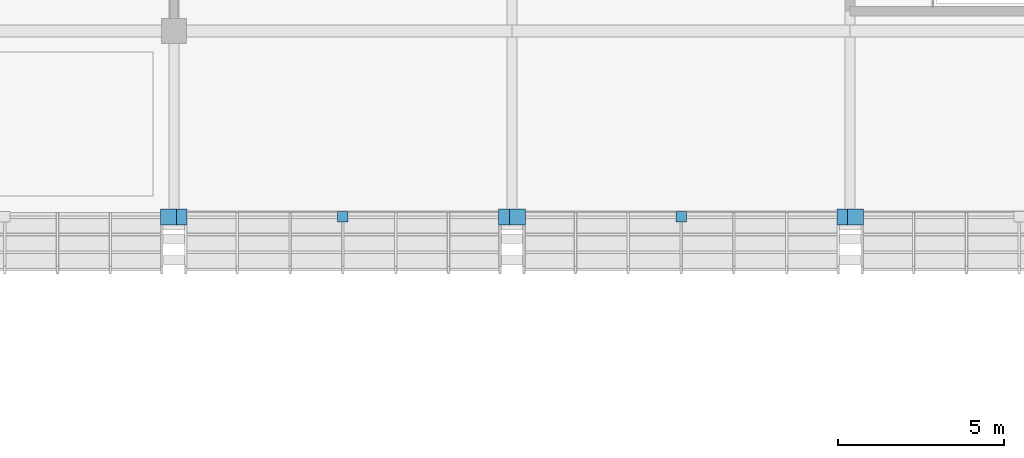
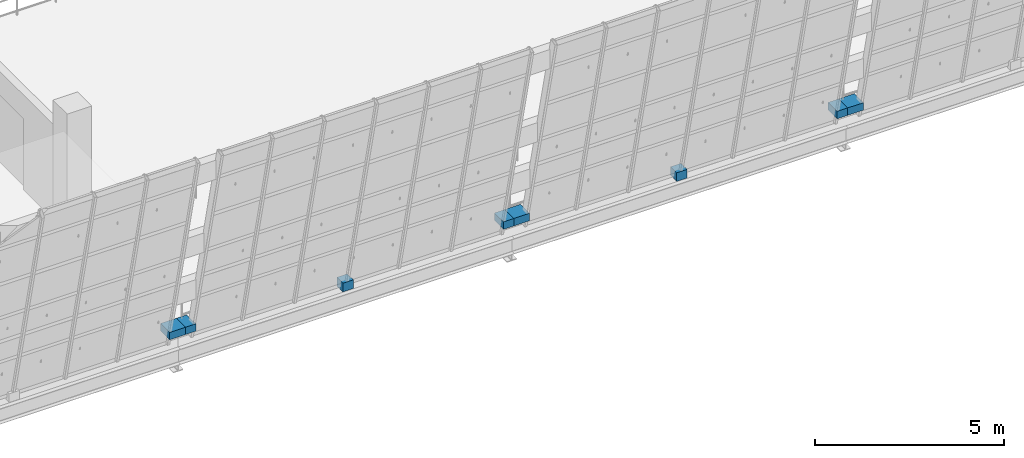
# One storey, part 137 of 157: 8 discrete accessories.
"""IFC4 building model written with IfcOpenShell, lengths in metres."""

from ifc_helpers import new_model, si_unit, direction, frame, origin, origin_2d, place, context, subcontext, project, spatial, rectangle, extrude, material, type_object, element, save


model = new_model("IFC4")

# Units and contexts
model_context = context("Model", 3, precision=1e-05, world=origin(), true_north=direction((0.0, 1.0)))
body_context = subcontext(model_context, "Body", "Model", "MODEL_VIEW")
ifc_project = project(units=[si_unit("LENGTHUNIT", "METRE"), si_unit("AREAUNIT", "SQUARE_METRE"), si_unit("VOLUMEUNIT", "CUBIC_METRE"), si_unit("PLANEANGLEUNIT", "RADIAN"), si_unit("MASSUNIT", "GRAM", prefix="KILO")], contexts=[model_context])

# Site, building, storey
site_placement = place(None, origin())
site = spatial("IfcSite", under=ifc_project, at=site_placement, CompositionType="ELEMENT")
building_placement = place(site_placement, origin())
building = spatial("IfcBuilding", under=site, at=building_placement, Name="Brelvane Convention Centre", CompositionType="ELEMENT")
storey_placement = place(building_placement, frame((0.0, 0.0, 10.800048828125)))
storey = spatial("IfcBuildingStorey", under=building, at=storey_placement, Name="L02", CompositionType="ELEMENT", Elevation=10.800048828125)

# Discrete accessories
ifc_material = material(Name="Steel E350 (350 MPa)", Category="steel")
discrete_accessory_type = type_object("IfcDiscreteAccessoryType", Name="Facade Outrigger Bracket BRK-02", PredefinedType="BRACKET", material=ifc_material)
for number, where, z_axis, x_axis, name in (
    (1, (101.840087890625, 13.60009765625, 0.22998046875), (0.0, 0.0, 1.0), (1.0, 0.0, 0.0), "Curtain Wall Anchor Bracket L02-HULL-S-L02-10-R"),
    (2, (102.159912109375, 13.60009765625, 0.22998046875), (0.0, 0.0, 1.0), (1.0, 0.0, 0.0), "Curtain Wall Anchor Bracket L02-HULL-S-L02-11-L"),
    (3, (112.0400390625, 13.60009765625, 0.22998046875), (0.0, 0.0, 1.0), (1.0, 0.0, 0.0), "Curtain Wall Anchor Bracket L02-HULL-S-L02-11-R"),
):
    element("IfcDiscreteAccessory", number, at=place(storey_placement, frame(where, z_axis=z_axis, x_axis=x_axis)), inside=storey, type_object=discrete_accessory_type, Name=name, PredefinedType="BRACKET", context=body_context, shape_type="SweptSolid", body=[
        extrude(rectangle(XDim=0.47998046875, YDim=0.47998046875, at=origin_2d()), origin(), (0.0, 0.0, 1.0), 0.239990234375),
    ])
discrete_accessory_1_placement = place(storey_placement, frame((107.10009765625, 13.60009765625, -0.14013671875), z_axis=(0.0, 0.0, 1.0), x_axis=(1.0, 0.0, 0.0)))
element("IfcDiscreteAccessory", 4, at=discrete_accessory_1_placement, inside=storey, type_object=discrete_accessory_type, Name="Curtain Wall Anchor Bracket L02-HULL-S-L02-11-B", PredefinedType="BRACKET", context=body_context, shape_type="SweptSolid", body=[
    extrude(rectangle(XDim=0.320068359375, YDim=0.320068359375, at=origin_2d()), origin(), (0.0, 0.0, 1.0), 0.280029296875),
])
for number, where, z_axis, x_axis, name in (
    (5, (112.360107421875, 13.60009765625, 0.22998046875), (0.0, 0.0, 1.0), (1.0, 0.0, 0.0), "Curtain Wall Anchor Bracket L02-HULL-S-L02-12-L"),
    (6, (122.239990234375, 13.60009765625, 0.22998046875), (0.0, 0.0, 1.0), (1.0, 0.0, 0.0), "Curtain Wall Anchor Bracket L02-HULL-S-L02-12-R"),
):
    element("IfcDiscreteAccessory", number, at=place(storey_placement, frame(where, z_axis=z_axis, x_axis=x_axis)), inside=storey, type_object=discrete_accessory_type, Name=name, PredefinedType="BRACKET", context=body_context, shape_type="SweptSolid", body=[
        extrude(rectangle(XDim=0.47998046875, YDim=0.47998046875, at=origin_2d()), origin(), (0.0, 0.0, 1.0), 0.239990234375),
    ])
discrete_accessory_2_placement = place(storey_placement, frame((117.300048828125, 13.60009765625, -0.14013671875), z_axis=(0.0, 0.0, 1.0), x_axis=(1.0, 0.0, 0.0)))
element("IfcDiscreteAccessory", 7, at=discrete_accessory_2_placement, inside=storey, type_object=discrete_accessory_type, Name="Curtain Wall Anchor Bracket L02-HULL-S-L02-12-B", PredefinedType="BRACKET", context=body_context, shape_type="SweptSolid", body=[
    extrude(rectangle(XDim=0.320068359375, YDim=0.320068359375, at=origin_2d()), origin(), (0.0, 0.0, 1.0), 0.280029296875),
])
discrete_accessory_3_placement = place(storey_placement, frame((122.56005859375, 13.60009765625, 0.22998046875), z_axis=(0.0, 0.0, 1.0), x_axis=(1.0, 0.0, 0.0)))
element("IfcDiscreteAccessory", 8, at=discrete_accessory_3_placement, inside=storey, type_object=discrete_accessory_type, Name="Curtain Wall Anchor Bracket L02-HULL-S-L02-13-L", PredefinedType="BRACKET", context=body_context, shape_type="SweptSolid", body=[
    extrude(rectangle(XDim=0.47998046875, YDim=0.47998046875, at=origin_2d()), origin(), (0.0, 0.0, 1.0), 0.239990234375),
])

save(model, "model.ifc")
